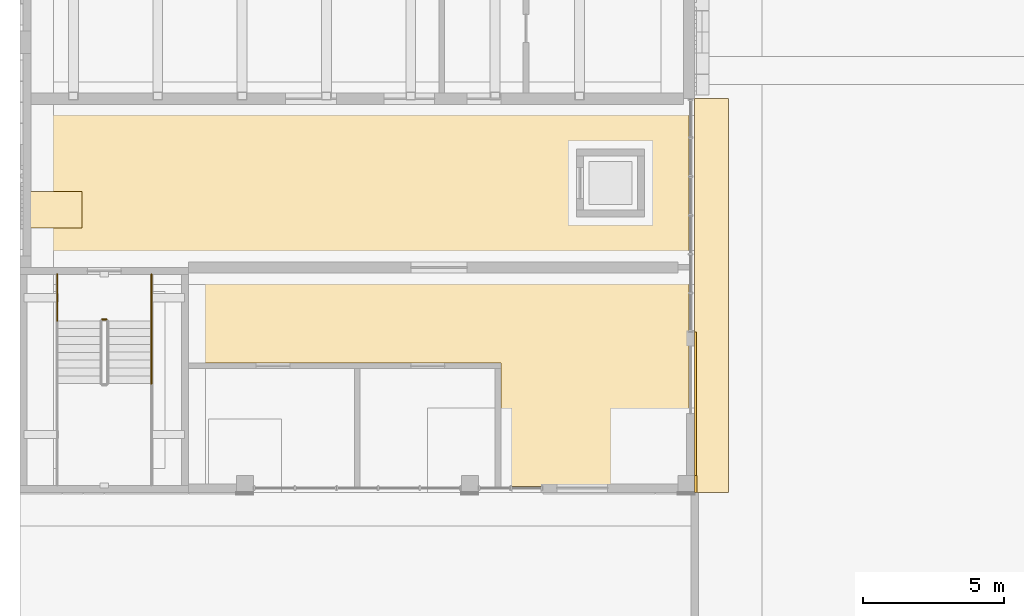
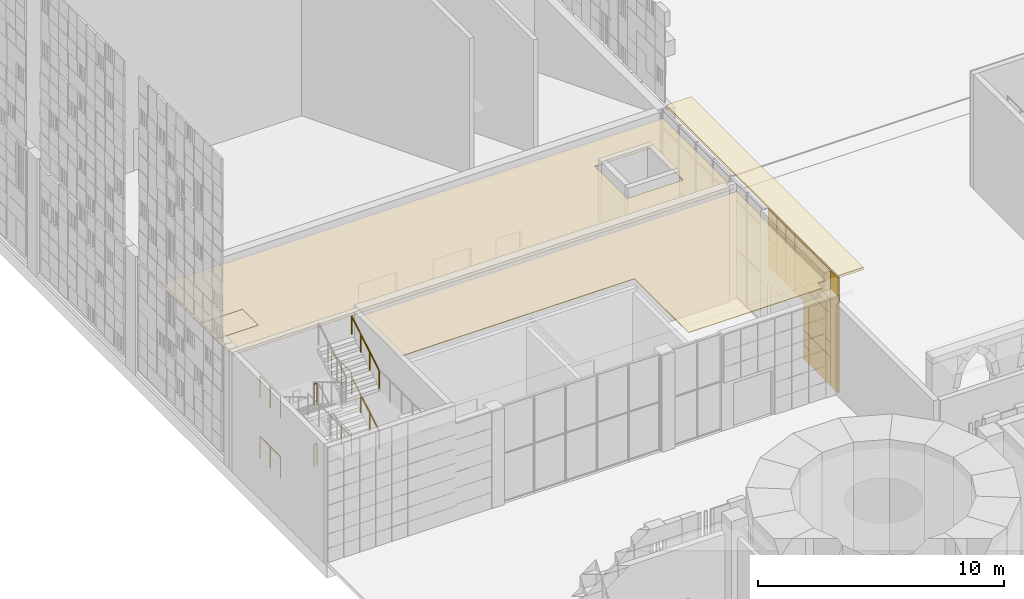
# One storey, part 88 of 125: 8 railings, 6 coverings.
"""IFC4 building model written with IfcOpenShell, lengths in metres."""

from ifc_helpers import new_model, si_unit, direction, frame, origin, origin_2d, place, context, subcontext, project, spatial, polyline, rectangle, circle, outline, extrude, material, layer, layer_set, type_object, element, save


model = new_model("IFC4")

# Units and contexts
model_context = context("Model", 3, precision=1e-05, world=origin(), true_north=direction((0.0, 1.0)))
body_context = subcontext(model_context, "Body", "Model", "MODEL_VIEW")
ifc_project = project(units=[si_unit("LENGTHUNIT", "METRE"), si_unit("AREAUNIT", "SQUARE_METRE"), si_unit("VOLUMEUNIT", "CUBIC_METRE"), si_unit("PLANEANGLEUNIT", "RADIAN"), si_unit("MASSUNIT", "GRAM", prefix="KILO")], contexts=[model_context])

# Site, building, storey
site_placement = place(None, origin())
site = spatial("IfcSite", under=ifc_project, at=site_placement, CompositionType="ELEMENT")
building_placement = place(site_placement, origin())
building = spatial("IfcBuilding", under=site, at=building_placement, Name="Sun Court Science Centre", CompositionType="ELEMENT")
storey_placement = place(building_placement, origin())
storey = spatial("IfcBuildingStorey", under=building, at=storey_placement, Name="L00", CompositionType="ELEMENT", Elevation=0.0)

# Coverings
ifc_material_1 = material(Name="Gypsum board")
ifc_layer_1 = layer(ifc_material_1, 0.030029296875)
ifc_layer_set_1 = layer_set([ifc_layer_1], Name="Gypsum board")
covering_type_1 = type_object("IfcCoveringType", Name="Ceiling suspended 600 module", PredefinedType="CEILING", material=ifc_layer_set_1)
covering_1_placement = place(storey_placement, frame((0.0, 0.0, 5.27001953125)))
element("IfcCovering", 1, at=covering_1_placement, inside=storey, type_object=covering_type_1, Name="L00-067 ceiling", PredefinedType="CEILING", context=body_context, shape_type="SweptSolid", body=[
    extrude(outline(polyline([(23.39990234375, 40.199951171875), (17.10009765625, 40.199951171875), (17.10009765625, 44.60009765625), (6.10009765625, 44.60009765625), (6.10009765625, 47.89990234375), (23.800048828125, 47.89990234375), (23.800048828125, 40.60009765625), (23.39990234375, 40.60009765625), (23.39990234375, 40.199951171875)])), origin(), (0.0, 0.0, 1.0), 0.030029296875),
])
covering_2_placement = place(storey_placement, frame((0.0, 0.0, 5.27001953125)))
element("IfcCovering", 2, at=covering_2_placement, inside=storey, type_object=covering_type_1, Name="L00-068 ceiling", PredefinedType="CEILING", context=body_context, shape_type="SweptSolid", body=[
    extrude(outline(polyline([(2.199951171875, 49.39990234375), (2.199951171875, 50.699951171875), (0.199951171875, 50.699951171875), (0.199951171875, 53.89990234375), (23.800048828125, 53.89990234375), (23.800048828125, 48.10009765625), (0.199951171875, 48.10009765625), (0.199951171875, 49.39990234375), (2.199951171875, 49.39990234375)]), holes=[polyline([(19.6875, 49.6875), (22.3125, 49.6875), (22.3125, 52.3125), (19.6875, 52.3125), (19.6875, 49.6875)])]), origin(), (0.0, 0.0, 1.0), 0.030029296875),
])
covering_3_placement = place(storey_placement, frame((0.0, 0.0, 5.27001953125)))
element("IfcCovering", 3, at=covering_3_placement, inside=storey, type_object=covering_type_1, Name="L00-076 ceiling", PredefinedType="CEILING", context=body_context, shape_type="SweptSolid", body=[
    extrude(outline(polyline([(2.199951171875, 50.699951171875), (2.199951171875, 49.39990234375), (0.199951171875, 49.39990234375), (0.199951171875, 50.699951171875), (2.199951171875, 50.699951171875)])), origin(), (0.0, 0.0, 1.0), 0.030029296875),
])

# Railings
ifc_material_2 = material(Name="Steel S275", Category="steel")
railing_type_1 = type_object("IfcRailingType", Name="Guard 1100 steel balustrade", PredefinedType="GUARDRAIL", material=ifc_material_2)
railing_1_placement = place(storey_placement, frame((2.925048828125, 46.152099609375, 3.0)))
element("IfcRailing", 4, at=railing_1_placement, inside=storey, type_object=railing_type_1, Name="L00 ST1 stair guard 6", PredefinedType="GUARDRAIL", context=body_context, shape_type="SweptSolid", body=[
    extrude(circle(Radius=0.02392578125, at=origin_2d()), frame((0.0, 0.0, 1.076171875), z_axis=(1.0, 0.0, 0.0), x_axis=(0.0, 1.0, 0.0)), (0.0, 0.0, 1.0), 0.14990234375),
    extrude(circle(Radius=0.02099609375, at=origin_2d()), origin(), (0.0, 0.0, 1.0), 1.052001953125),
    extrude(circle(Radius=0.02099609375, at=origin_2d()), frame((0.14990234375, 0.0, 0.0)), (0.0, 0.0, 1.0), 1.052001953125),
])
for number, where, name in (
    (5, (1.326904296875, 47.75, 3.0), "L00 ST1 stair guard 7"),
    (6, (4.673095703125, 47.75, 3.0), "L00 ST1 stair guard 8"),
):
    element("IfcRailing", number, at=place(storey_placement, frame(where)), inside=storey, type_object=railing_type_1, Name=name, PredefinedType="GUARDRAIL", context=body_context, shape_type="SweptSolid", body=[
        extrude(circle(Radius=0.02392578125, at=origin_2d()), frame((0.0, 0.0, 1.076171875), z_axis=(0.0, -1.0, 0.0), x_axis=(1.0, 0.0, 0.0)), (0.0, 0.0, 1.0), 1.64794921875),
        extrude(circle(Radius=0.02099609375, at=origin_2d()), origin(), (0.0, 0.0, 1.0), 1.052001953125),
        extrude(circle(Radius=0.02099609375, at=origin_2d()), frame((0.0, -0.823974609375, 0.0)), (0.0, 0.0, 1.0), 1.052001953125),
        extrude(circle(Radius=0.02099609375, at=origin_2d()), frame((0.0, -1.64794921875, 0.0)), (0.0, 0.0, 1.0), 1.052001953125),
    ])
railing_2_placement = place(storey_placement, frame((2.925048828125, 46.152099609375, 0.0)))
element("IfcRailing", 7, at=railing_2_placement, inside=storey, type_object=railing_type_1, Name="L00 ST1 stair guard 14", PredefinedType="GUARDRAIL", context=body_context, shape_type="SweptSolid", body=[
    extrude(circle(Radius=0.02392578125, at=origin_2d()), frame((0.0, 0.0, 1.076171875), z_axis=(1.0, 0.0, 0.0), x_axis=(0.0, 1.0, 0.0)), (0.0, 0.0, 1.0), 0.14990234375),
    extrude(circle(Radius=0.02099609375, at=origin_2d()), origin(), (0.0, 0.0, 1.0), 1.052001953125),
    extrude(circle(Radius=0.02099609375, at=origin_2d()), frame((0.14990234375, 0.0, 0.0)), (0.0, 0.0, 1.0), 1.052001953125),
])
for number, where, name in (
    (8, (1.326904296875, 47.75, 0.0), "L00 ST1 stair guard 15"),
    (9, (4.673095703125, 47.75, 0.0), "L00 ST1 stair guard 16"),
):
    element("IfcRailing", number, at=place(storey_placement, frame(where)), inside=storey, type_object=railing_type_1, Name=name, PredefinedType="GUARDRAIL", context=body_context, shape_type="SweptSolid", body=[
        extrude(circle(Radius=0.02392578125, at=origin_2d()), frame((0.0, 0.0, 1.076171875), z_axis=(0.0, -1.0, 0.0), x_axis=(1.0, 0.0, 0.0)), (0.0, 0.0, 1.0), 1.64794921875),
        extrude(circle(Radius=0.02099609375, at=origin_2d()), origin(), (0.0, 0.0, 1.0), 1.052001953125),
        extrude(circle(Radius=0.02099609375, at=origin_2d()), frame((0.0, -0.823974609375, 0.0)), (0.0, 0.0, 1.0), 1.052001953125),
        extrude(circle(Radius=0.02099609375, at=origin_2d()), frame((0.0, -1.64794921875, 0.0)), (0.0, 0.0, 1.0), 1.052001953125),
    ])
ifc_material_3 = material(Name="Stainless steel", Category="steel")
railing_type_2 = type_object("IfcRailingType", Name="Handrail 900 stainless", PredefinedType="HANDRAIL", material=ifc_material_3)
for number, where, name in (
    (10, (4.673095703125, 43.862060546875, 1.666748046875), "L00 ST1 stair handrail 2"),
    (11, (4.673095703125, 43.862060546875, 4.666748046875), "L00 ST1 stair handrail 4"),
):
    element("IfcRailing", number, at=place(storey_placement, frame(where)), inside=storey, type_object=railing_type_2, Name=name, PredefinedType="HANDRAIL", context=body_context, shape_type="SweptSolid", body=[
        extrude(circle(Radius=0.02392578125, at=origin_2d()), frame((0.0, 0.0, 0.8759765625), z_axis=(0.0, 0.859305625298, 0.511462454469), x_axis=(-1.0, 0.0, 0.0)), (0.0, 0.0, 1.0), 2.606689453125),
        extrude(circle(Radius=0.02099609375, at=origin_2d()), origin(), (0.0, 0.0, 1.0), 0.851806640625),
        extrude(circle(Radius=0.02099609375, at=origin_2d()), frame((0.0, 0.74658203125, 0.4443359375)), (0.0, 0.0, 1.0), 0.851806640625),
        extrude(circle(Radius=0.02099609375, at=origin_2d()), frame((0.0, 1.493408203125, 0.888916015625)), (0.0, 0.0, 1.0), 0.851806640625),
        extrude(circle(Radius=0.02099609375, at=origin_2d()), frame((0.0, 2.239990234375, 1.333251953125)), (0.0, 0.0, 1.0), 0.851806640625),
    ])

# Coverings
ifc_material_4 = material(Name="Red sandstone", Category="masonry")
ifc_layer_2 = layer(ifc_material_4, 0.080078125)
ifc_layer_set_2 = layer_set([ifc_layer_2], Name="Red sandstone")
covering_type_2 = type_object("IfcCoveringType", Name="Red sandstone pier cladding", PredefinedType="CLADDING", material=ifc_layer_set_2)
covering_4_placement = place(storey_placement, origin())
element("IfcCovering", 12, at=covering_4_placement, inside=storey, type_object=covering_type_2, Name="Red sandstone pier cladding east face L00", PredefinedType="CLADDING", context=body_context, shape_type="SweptSolid", body=[
    extrude(rectangle(XDim=0.60009765625, YDim=0.080078125, at=origin_2d()), frame((24.0400390625, 40.300048828125, 0.0), z_axis=(0.0, 0.0, 1.0), x_axis=(0.0, -1.0, 0.0)), (0.0, 0.0, 1.0), 5.699951171875),
])
ifc_material_5 = material(Name="Red sandstone", Category="masonry")
ifc_layer_3 = layer(ifc_material_5, 0.06005859375)
ifc_layer_set_3 = layer_set([ifc_layer_3], Name="Red sandstone")
covering_type_3 = type_object("IfcCoveringType", Name="Red sandstone wall cladding 750", PredefinedType="CLADDING", material=ifc_layer_set_3)
covering_5_placement = place(storey_placement, origin())
element("IfcCovering", 13, at=covering_5_placement, inside=storey, type_object=covering_type_3, Name="Red sandstone wall cladding east face L00", PredefinedType="CLADDING", context=body_context, shape_type="SweptSolid", body=[
    extrude(rectangle(XDim=0.718505859375, YDim=0.06005859375, at=origin_2d()), frame((24.030029296875, 42.42138671875, 0.0048828125), z_axis=(0.0, 0.0, 1.0), x_axis=(0.0, -1.0, 0.0)), (0.0, 0.0, 1.0), 0.702392578125),
    extrude(rectangle(XDim=0.718505859375, YDim=0.06005859375, at=origin_2d()), frame((24.030029296875, 41.69287109375, 0.0048828125), z_axis=(0.0, 0.0, 1.0), x_axis=(0.0, -1.0, 0.0)), (0.0, 0.0, 1.0), 0.702392578125),
    extrude(rectangle(XDim=0.718505859375, YDim=0.06005859375, at=origin_2d()), frame((24.030029296875, 40.96435546875, 0.0048828125), z_axis=(0.0, 0.0, 1.0), x_axis=(0.0, -1.0, 0.0)), (0.0, 0.0, 1.0), 0.702392578125),
    extrude(rectangle(XDim=0.718505859375, YDim=0.06005859375, at=origin_2d()), frame((24.030029296875, 42.42138671875, 0.7177734375), z_axis=(0.0, 0.0, 1.0), x_axis=(0.0, -1.0, 0.0)), (0.0, 0.0, 1.0), 0.702392578125),
    extrude(rectangle(XDim=0.718505859375, YDim=0.06005859375, at=origin_2d()), frame((24.030029296875, 41.69287109375, 0.7177734375), z_axis=(0.0, 0.0, 1.0), x_axis=(0.0, -1.0, 0.0)), (0.0, 0.0, 1.0), 0.702392578125),
    extrude(rectangle(XDim=0.718505859375, YDim=0.06005859375, at=origin_2d()), frame((24.030029296875, 40.96435546875, 0.7177734375), z_axis=(0.0, 0.0, 1.0), x_axis=(0.0, -1.0, 0.0)), (0.0, 0.0, 1.0), 0.702392578125),
    extrude(rectangle(XDim=0.718505859375, YDim=0.06005859375, at=origin_2d()), frame((24.030029296875, 42.42138671875, 1.43017578125), z_axis=(0.0, 0.0, 1.0), x_axis=(0.0, -1.0, 0.0)), (0.0, 0.0, 1.0), 0.702392578125),
    extrude(rectangle(XDim=0.718505859375, YDim=0.06005859375, at=origin_2d()), frame((24.030029296875, 41.69287109375, 1.43017578125), z_axis=(0.0, 0.0, 1.0), x_axis=(0.0, -1.0, 0.0)), (0.0, 0.0, 1.0), 0.702392578125),
    extrude(rectangle(XDim=0.718505859375, YDim=0.06005859375, at=origin_2d()), frame((24.030029296875, 40.96435546875, 1.43017578125), z_axis=(0.0, 0.0, 1.0), x_axis=(0.0, -1.0, 0.0)), (0.0, 0.0, 1.0), 0.702392578125),
    extrude(rectangle(XDim=0.718505859375, YDim=0.06005859375, at=origin_2d()), frame((24.030029296875, 42.42138671875, 2.142578125), z_axis=(0.0, 0.0, 1.0), x_axis=(0.0, -1.0, 0.0)), (0.0, 0.0, 1.0), 0.702392578125),
    extrude(rectangle(XDim=0.718505859375, YDim=0.06005859375, at=origin_2d()), frame((24.030029296875, 41.69287109375, 2.142578125), z_axis=(0.0, 0.0, 1.0), x_axis=(0.0, -1.0, 0.0)), (0.0, 0.0, 1.0), 0.702392578125),
    extrude(rectangle(XDim=0.718505859375, YDim=0.06005859375, at=origin_2d()), frame((24.030029296875, 40.96435546875, 2.142578125), z_axis=(0.0, 0.0, 1.0), x_axis=(0.0, -1.0, 0.0)), (0.0, 0.0, 1.0), 0.702392578125),
    extrude(rectangle(XDim=0.718505859375, YDim=0.06005859375, at=origin_2d()), frame((24.030029296875, 45.335693359375, 2.85498046875), z_axis=(0.0, 0.0, 1.0), x_axis=(0.0, -1.0, 0.0)), (0.0, 0.0, 1.0), 0.702392578125),
    extrude(rectangle(XDim=0.718505859375, YDim=0.06005859375, at=origin_2d()), frame((24.030029296875, 44.607177734375, 2.85498046875), z_axis=(0.0, 0.0, 1.0), x_axis=(0.0, -1.0, 0.0)), (0.0, 0.0, 1.0), 0.702392578125),
    extrude(rectangle(XDim=0.718505859375, YDim=0.06005859375, at=origin_2d()), frame((24.030029296875, 43.878662109375, 2.85498046875), z_axis=(0.0, 0.0, 1.0), x_axis=(0.0, -1.0, 0.0)), (0.0, 0.0, 1.0), 0.702392578125),
    extrude(rectangle(XDim=0.718505859375, YDim=0.06005859375, at=origin_2d()), frame((24.030029296875, 43.14990234375, 2.85498046875), z_axis=(0.0, 0.0, 1.0), x_axis=(0.0, -1.0, 0.0)), (0.0, 0.0, 1.0), 0.702392578125),
    extrude(rectangle(XDim=0.718505859375, YDim=0.06005859375, at=origin_2d()), frame((24.030029296875, 42.42138671875, 2.85498046875), z_axis=(0.0, 0.0, 1.0), x_axis=(0.0, -1.0, 0.0)), (0.0, 0.0, 1.0), 0.702392578125),
    extrude(rectangle(XDim=0.718505859375, YDim=0.06005859375, at=origin_2d()), frame((24.030029296875, 41.69287109375, 2.85498046875), z_axis=(0.0, 0.0, 1.0), x_axis=(0.0, -1.0, 0.0)), (0.0, 0.0, 1.0), 0.702392578125),
    extrude(rectangle(XDim=0.718505859375, YDim=0.06005859375, at=origin_2d()), frame((24.030029296875, 40.96435546875, 2.85498046875), z_axis=(0.0, 0.0, 1.0), x_axis=(0.0, -1.0, 0.0)), (0.0, 0.0, 1.0), 0.702392578125),
    extrude(rectangle(XDim=0.718505859375, YDim=0.06005859375, at=origin_2d()), frame((24.030029296875, 45.335693359375, 3.5673828125), z_axis=(0.0, 0.0, 1.0), x_axis=(0.0, -1.0, 0.0)), (0.0, 0.0, 1.0), 0.702392578125),
    extrude(rectangle(XDim=0.718505859375, YDim=0.06005859375, at=origin_2d()), frame((24.030029296875, 44.607177734375, 3.5673828125), z_axis=(0.0, 0.0, 1.0), x_axis=(0.0, -1.0, 0.0)), (0.0, 0.0, 1.0), 0.702392578125),
    extrude(rectangle(XDim=0.718505859375, YDim=0.06005859375, at=origin_2d()), frame((24.030029296875, 43.878662109375, 3.5673828125), z_axis=(0.0, 0.0, 1.0), x_axis=(0.0, -1.0, 0.0)), (0.0, 0.0, 1.0), 0.702392578125),
    extrude(rectangle(XDim=0.718505859375, YDim=0.06005859375, at=origin_2d()), frame((24.030029296875, 43.14990234375, 3.5673828125), z_axis=(0.0, 0.0, 1.0), x_axis=(0.0, -1.0, 0.0)), (0.0, 0.0, 1.0), 0.702392578125),
    extrude(rectangle(XDim=0.718505859375, YDim=0.06005859375, at=origin_2d()), frame((24.030029296875, 42.42138671875, 3.5673828125), z_axis=(0.0, 0.0, 1.0), x_axis=(0.0, -1.0, 0.0)), (0.0, 0.0, 1.0), 0.702392578125),
    extrude(rectangle(XDim=0.718505859375, YDim=0.06005859375, at=origin_2d()), frame((24.030029296875, 41.69287109375, 3.5673828125), z_axis=(0.0, 0.0, 1.0), x_axis=(0.0, -1.0, 0.0)), (0.0, 0.0, 1.0), 0.702392578125),
    extrude(rectangle(XDim=0.718505859375, YDim=0.06005859375, at=origin_2d()), frame((24.030029296875, 40.96435546875, 3.5673828125), z_axis=(0.0, 0.0, 1.0), x_axis=(0.0, -1.0, 0.0)), (0.0, 0.0, 1.0), 0.702392578125),
    extrude(rectangle(XDim=0.718505859375, YDim=0.06005859375, at=origin_2d()), frame((24.030029296875, 45.335693359375, 4.2802734375), z_axis=(0.0, 0.0, 1.0), x_axis=(0.0, -1.0, 0.0)), (0.0, 0.0, 1.0), 0.702392578125),
    extrude(rectangle(XDim=0.718505859375, YDim=0.06005859375, at=origin_2d()), frame((24.030029296875, 44.607177734375, 4.2802734375), z_axis=(0.0, 0.0, 1.0), x_axis=(0.0, -1.0, 0.0)), (0.0, 0.0, 1.0), 0.702392578125),
    extrude(rectangle(XDim=0.718505859375, YDim=0.06005859375, at=origin_2d()), frame((24.030029296875, 43.878662109375, 4.2802734375), z_axis=(0.0, 0.0, 1.0), x_axis=(0.0, -1.0, 0.0)), (0.0, 0.0, 1.0), 0.702392578125),
    extrude(rectangle(XDim=0.718505859375, YDim=0.06005859375, at=origin_2d()), frame((24.030029296875, 43.14990234375, 4.2802734375), z_axis=(0.0, 0.0, 1.0), x_axis=(0.0, -1.0, 0.0)), (0.0, 0.0, 1.0), 0.702392578125),
    extrude(rectangle(XDim=0.718505859375, YDim=0.06005859375, at=origin_2d()), frame((24.030029296875, 42.42138671875, 4.2802734375), z_axis=(0.0, 0.0, 1.0), x_axis=(0.0, -1.0, 0.0)), (0.0, 0.0, 1.0), 0.702392578125),
    extrude(rectangle(XDim=0.718505859375, YDim=0.06005859375, at=origin_2d()), frame((24.030029296875, 41.69287109375, 4.2802734375), z_axis=(0.0, 0.0, 1.0), x_axis=(0.0, -1.0, 0.0)), (0.0, 0.0, 1.0), 0.702392578125),
    extrude(rectangle(XDim=0.718505859375, YDim=0.06005859375, at=origin_2d()), frame((24.030029296875, 40.96435546875, 4.2802734375), z_axis=(0.0, 0.0, 1.0), x_axis=(0.0, -1.0, 0.0)), (0.0, 0.0, 1.0), 0.702392578125),
    extrude(rectangle(XDim=0.718505859375, YDim=0.06005859375, at=origin_2d()), frame((24.030029296875, 45.335693359375, 4.99267578125), z_axis=(0.0, 0.0, 1.0), x_axis=(0.0, -1.0, 0.0)), (0.0, 0.0, 1.0), 0.702392578125),
    extrude(rectangle(XDim=0.718505859375, YDim=0.06005859375, at=origin_2d()), frame((24.030029296875, 44.607177734375, 4.99267578125), z_axis=(0.0, 0.0, 1.0), x_axis=(0.0, -1.0, 0.0)), (0.0, 0.0, 1.0), 0.702392578125),
    extrude(rectangle(XDim=0.718505859375, YDim=0.06005859375, at=origin_2d()), frame((24.030029296875, 43.878662109375, 4.99267578125), z_axis=(0.0, 0.0, 1.0), x_axis=(0.0, -1.0, 0.0)), (0.0, 0.0, 1.0), 0.702392578125),
    extrude(rectangle(XDim=0.718505859375, YDim=0.06005859375, at=origin_2d()), frame((24.030029296875, 43.14990234375, 4.99267578125), z_axis=(0.0, 0.0, 1.0), x_axis=(0.0, -1.0, 0.0)), (0.0, 0.0, 1.0), 0.702392578125),
    extrude(rectangle(XDim=0.718505859375, YDim=0.06005859375, at=origin_2d()), frame((24.030029296875, 42.42138671875, 4.99267578125), z_axis=(0.0, 0.0, 1.0), x_axis=(0.0, -1.0, 0.0)), (0.0, 0.0, 1.0), 0.702392578125),
    extrude(rectangle(XDim=0.718505859375, YDim=0.06005859375, at=origin_2d()), frame((24.030029296875, 41.69287109375, 4.99267578125), z_axis=(0.0, 0.0, 1.0), x_axis=(0.0, -1.0, 0.0)), (0.0, 0.0, 1.0), 0.702392578125),
    extrude(rectangle(XDim=0.718505859375, YDim=0.06005859375, at=origin_2d()), frame((24.030029296875, 40.96435546875, 4.99267578125), z_axis=(0.0, 0.0, 1.0), x_axis=(0.0, -1.0, 0.0)), (0.0, 0.0, 1.0), 0.702392578125),
])
ifc_material_6 = material(Name="Red sandstone", Category="masonry")
ifc_layer_4 = layer(ifc_material_6, 0.1201171875)
ifc_layer_set_4 = layer_set([ifc_layer_4], Name="Red sandstone")
covering_type_4 = type_object("IfcCoveringType", Name="Sandstone chhajja eave 900", PredefinedType="CLADDING", material=ifc_layer_set_4)
covering_6_placement = place(storey_placement, frame((0.0, 0.0, 5.699951171875)))
element("IfcCovering", 14, at=covering_6_placement, inside=storey, type_object=covering_type_4, Name="Foyer chhajja eave east face", PredefinedType="CLADDING", context=body_context, shape_type="SweptSolid", body=[
    extrude(outline(polyline([(24.0, 54.0), (24.0, 40.0), (25.199951171875, 40.0), (25.199951171875, 54.0), (24.0, 54.0)])), origin(), (0.0, 0.0, 1.0), 0.1201171875),
])

save(model, "model.ifc")
